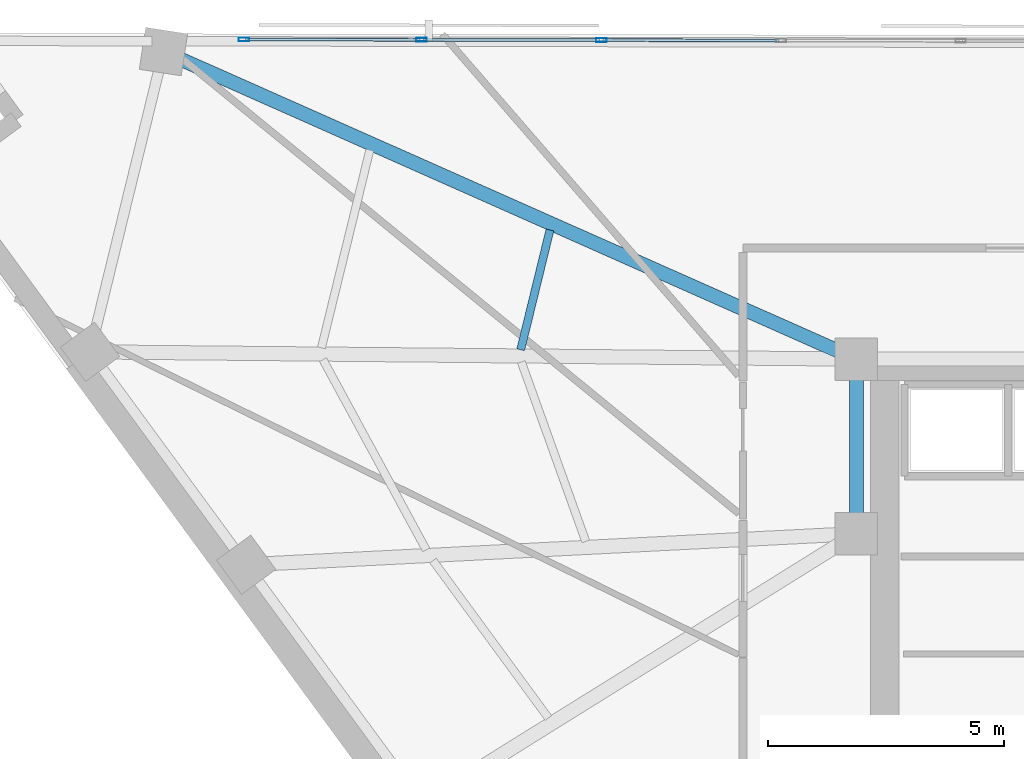
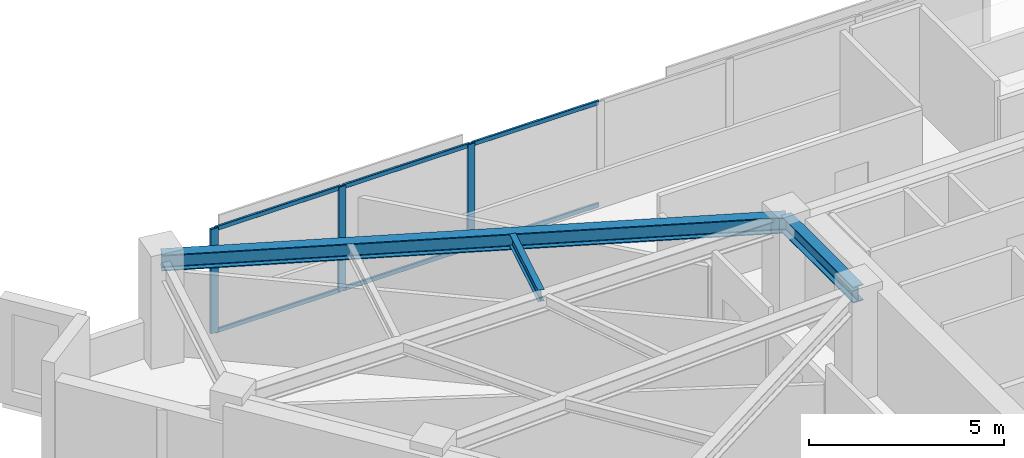
# One storey, part 2 of 13: 9 members, 3 beams, 1 element without a shape of its own.
"""IFC4 building model written with IfcOpenShell, lengths in metres."""

from ifc_helpers import new_model, si_unit, direction, frame, origin, origin_2d, place, context, subcontext, project, spatial, hollow_rectangle, i_section, extrude, material, material_profile, profile_set, type_object, element, aggregate, save


model = new_model("IFC4")

# Units and contexts
model_context = context("Model", 3, precision=1e-05, world=origin(), true_north=direction((0.0, 1.0)))
body_context = subcontext(model_context, "Body", "Model", "MODEL_VIEW")
ifc_project = project(units=[si_unit("LENGTHUNIT", "METRE"), si_unit("AREAUNIT", "SQUARE_METRE"), si_unit("VOLUMEUNIT", "CUBIC_METRE"), si_unit("PLANEANGLEUNIT", "RADIAN"), si_unit("MASSUNIT", "GRAM", prefix="KILO")], contexts=[model_context])

# Site, building, storey
site_placement = place(None, origin())
site = spatial("IfcSite", under=ifc_project, at=site_placement, CompositionType="ELEMENT")
building_placement = place(site_placement, origin())
building = spatial("IfcBuilding", under=site, at=building_placement, Name="Narakoshi Arena Tower", CompositionType="ELEMENT")
storey_placement = place(building_placement, frame((0.0, 0.0, 243.139892578125)))
storey = spatial("IfcBuildingStorey", under=building, at=storey_placement, Name="L66", CompositionType="ELEMENT", Elevation=243.139892578125)

# Beams
ifc_material_1 = material(Name="Structural steel S355J2", Category="steel")
ifc_material_profile_1 = material_profile(ifc_material_1, i_section(OverallWidth=0.300048828125, OverallDepth=0.5, WebThickness=0.014404296875, FlangeThickness=0.028076171875, FilletRadius=0.027099609375, at=origin_2d()), Name="HE500B")
ifc_profile_set_1 = profile_set([ifc_material_profile_1], Name="Structural steel S355J2")
beam_type_1 = type_object("IfcBeamType", Name="BM-PRI-500", PredefinedType="BEAM", material=ifc_profile_set_1)
beam_1_placement = place(storey_placement, frame((72.0, 56.5, 3.010009765625), z_axis=(-0.914014379094, 0.405681790089, 0.0), x_axis=(-0.405681790089, -0.914014379094, 0.0)))
element("IfcBeam", 1, at=beam_1_placement, inside=storey, type_object=beam_type_1, Name="L66 Radial Primary Floor Girder 08", PredefinedType="BEAM", context=body_context, shape_type="SweptSolid", body=[
    extrude(i_section(OverallWidth=0.300048828125, OverallDepth=0.5, WebThickness=0.014404296875, FlangeThickness=0.028076171875, FilletRadius=0.027099609375, at=origin_2d()), origin(), (0.0, 0.0, 1.0), 16.072998046875),
])
beam_2_placement = place(storey_placement, frame((72.0, 52.800048828125, 3.010009765625), z_axis=(0.0, 1.0, 0.0), x_axis=(-1.0, 0.0, 0.0)))
element("IfcBeam", 2, at=beam_2_placement, inside=storey, type_object=beam_type_1, Name="L66 Core Perimeter Frame Beam CC4-CC5", PredefinedType="BEAM", context=body_context, shape_type="SweptSolid", body=[
    extrude(i_section(OverallWidth=0.300048828125, OverallDepth=0.5, WebThickness=0.014404296875, FlangeThickness=0.028076171875, FilletRadius=0.027099609375, at=origin_2d()), origin(), (0.0, 0.0, 1.0), 3.699951171875),
])
ifc_material_profile_2 = material_profile(ifc_material_1, i_section(OverallWidth=0.169921875, OverallDepth=0.360107421875, WebThickness=0.008056640625, FlangeThickness=0.0126953125, FilletRadius=0.01806640625, at=origin_2d()), Name="IPE360")
ifc_profile_set_2 = profile_set([ifc_material_profile_2], Name="Structural steel S355J2")
beam_type_2 = type_object("IfcBeamType", Name="BM-SEC-360", PredefinedType="JOIST", material=ifc_profile_set_2)
beam_3_placement = place(storey_placement, frame((65.50390625, 59.23779296875, 3.080078125), z_axis=(-0.237388442465, -0.971414807064, 0.0), x_axis=(0.971414807064, -0.237388442465, 0.0)))
element("IfcBeam", 3, at=beam_3_placement, inside=storey, type_object=beam_type_2, Name="L66 Composite Secondary Floor Joist 07", PredefinedType="JOIST", context=body_context, shape_type="SweptSolid", body=[
    extrude(i_section(OverallWidth=0.169921875, OverallDepth=0.360107421875, WebThickness=0.008056640625, FlangeThickness=0.0126953125, FilletRadius=0.01806640625, at=origin_2d()), origin(), (0.0, 0.0, 1.0), 2.61328125),
])

# Curtain wall, members
ifc_material_2 = material(Name="Anodised bronze aluminium 6063-T6", Category="aluminium")
curtain_wall_type = type_object("IfcCurtainWallType", Name="CW-HYP-HIGH", PredefinedType="NOTDEFINED", material=ifc_material_2)
curtain_wall_placement = place(storey_placement, origin())
curtain_wall = element("IfcCurtainWall", 4, at=curtain_wall_placement, inside=storey, type_object=curtain_wall_type, Name="L66 Folded Hypotenuse Curtain Wall 2-1", PredefinedType="NOTDEFINED")
ifc_material_profile_3 = material_profile(ifc_material_2, hollow_rectangle(XDim=0.080078125, YDim=0.219970703125, WallThickness=0.0048828125, OuterFilletRadius=0.006103515625, at=origin_2d()), Name="MUL220x80x5")
ifc_profile_set_3 = profile_set([ifc_material_profile_3], Name="Anodised bronze aluminium 6063-T6")
member_type_1 = type_object("IfcMemberType", Name="MEM-MUL-220", PredefinedType="MULLION", material=ifc_profile_set_3)
member_1_placement = place(storey_placement, frame((66.59326171875, 63.263671875, 0.0), z_axis=(0.0, 0.0, 1.0), x_axis=(-0.001819896899, -0.999998343986, 0.0)))
member_1 = element("IfcMember", 5, at=member_1_placement, type_object=member_type_1, Name="CW-03 mullion 5", PredefinedType="MULLION", context=body_context, shape_type="SweptSolid", body=[
    extrude(hollow_rectangle(XDim=0.080078125, YDim=0.219970703125, WallThickness=0.0048828125, OuterFilletRadius=0.006103515625, at=origin_2d()), origin(), (0.0, 0.0, 1.0), 3.260009765625),
])
member_2_placement = place(storey_placement, frame((62.78369140625, 63.270751953125, 0.0), z_axis=(0.0, 0.0, 1.0), x_axis=(-0.001819896899, -0.999998343986, 0.0)))
member_2 = element("IfcMember", 6, at=member_2_placement, type_object=member_type_1, Name="CW-03 mullion 6", PredefinedType="MULLION", context=body_context, shape_type="SweptSolid", body=[
    extrude(hollow_rectangle(XDim=0.080078125, YDim=0.219970703125, WallThickness=0.0048828125, OuterFilletRadius=0.006103515625, at=origin_2d()), origin(), (0.0, 0.0, 1.0), 3.260009765625),
])
member_3_placement = place(storey_placement, frame((59.013916015625, 63.277587890625, 0.0), z_axis=(0.0, 0.0, 1.0), x_axis=(-0.001819896899, -0.999998343986, 0.0)))
member_3 = element("IfcMember", 7, at=member_3_placement, type_object=member_type_1, Name="CW-03 mullion 7", PredefinedType="MULLION", context=body_context, shape_type="SweptSolid", body=[
    extrude(hollow_rectangle(XDim=0.080078125, YDim=0.219970703125, WallThickness=0.0048828125, OuterFilletRadius=0.006103515625, at=origin_2d()), origin(), (0.0, 0.0, 1.0), 3.260009765625),
])
ifc_material_profile_4 = material_profile(ifc_material_2, hollow_rectangle(XDim=0.06494140625, YDim=0.1298828125, WallThickness=0.00390625, OuterFilletRadius=0.0048828125, at=origin_2d()), Name="TRN130x65x4")
ifc_profile_set_4 = profile_set([ifc_material_profile_4], Name="Anodised bronze aluminium 6063-T6")
member_type_2 = type_object("IfcMemberType", Name="MEM-TRN-130", PredefinedType="USERDEFINED", material=ifc_profile_set_4)
member_4_placement = place(storey_placement, frame((70.363037109375, 63.2568359375, 0.03271484375), z_axis=(-0.999998320389, 0.001832817502, 0.0), x_axis=(-0.001832817502, -0.999998320389, 0.0)))
member_4 = element("IfcMember", 8, at=member_4_placement, type_object=member_type_2, Name="CW-03 transom 4.1", ObjectType="TRANSOM", PredefinedType="USERDEFINED", context=body_context, shape_type="SweptSolid", body=[
    extrude(hollow_rectangle(XDim=0.06494140625, YDim=0.1298828125, WallThickness=0.00390625, OuterFilletRadius=0.0048828125, at=origin_2d()), origin(), (0.0, 0.0, 1.0), 3.729736328125),
])
member_5_placement = place(storey_placement, frame((70.363037109375, 63.2568359375, 3.2275390625), z_axis=(-0.999998320389, 0.001832817502, 0.0), x_axis=(-0.001832817502, -0.999998320389, 0.0)))
member_5 = element("IfcMember", 9, at=member_5_placement, type_object=member_type_2, Name="CW-03 transom 4.2", ObjectType="TRANSOM", PredefinedType="USERDEFINED", context=body_context, shape_type="SweptSolid", body=[
    extrude(hollow_rectangle(XDim=0.06494140625, YDim=0.1298828125, WallThickness=0.00390625, OuterFilletRadius=0.0048828125, at=origin_2d()), origin(), (0.0, 0.0, 1.0), 3.729736328125),
])
member_6_placement = place(storey_placement, frame((66.553466796875, 63.263916015625, 0.03271484375), z_axis=(-0.999998438218, 0.001767359942, 0.0), x_axis=(-0.001767359942, -0.999998438218, 0.0)))
member_6 = element("IfcMember", 10, at=member_6_placement, type_object=member_type_2, Name="CW-03 transom 5.1", ObjectType="TRANSOM", PredefinedType="USERDEFINED", context=body_context, shape_type="SweptSolid", body=[
    extrude(hollow_rectangle(XDim=0.06494140625, YDim=0.1298828125, WallThickness=0.00390625, OuterFilletRadius=0.0048828125, at=origin_2d()), origin(), (0.0, 0.0, 1.0), 3.729736328125),
])
member_7_placement = place(storey_placement, frame((66.553466796875, 63.263916015625, 3.2275390625), z_axis=(-0.999998438218, 0.001767359942, 0.0), x_axis=(-0.001767359942, -0.999998438218, 0.0)))
member_7 = element("IfcMember", 11, at=member_7_placement, type_object=member_type_2, Name="CW-03 transom 5.2", ObjectType="TRANSOM", PredefinedType="USERDEFINED", context=body_context, shape_type="SweptSolid", body=[
    extrude(hollow_rectangle(XDim=0.06494140625, YDim=0.1298828125, WallThickness=0.00390625, OuterFilletRadius=0.0048828125, at=origin_2d()), origin(), (0.0, 0.0, 1.0), 3.729736328125),
])
member_8_placement = place(storey_placement, frame((62.74365234375, 63.270751953125, 0.03271484375), z_axis=(-0.999998404139, 0.001786538537, 0.0), x_axis=(-0.001786538537, -0.999998404139, 0.0)))
member_8 = element("IfcMember", 12, at=member_8_placement, type_object=member_type_2, Name="CW-03 transom 6.1", ObjectType="TRANSOM", PredefinedType="USERDEFINED", context=body_context, shape_type="SweptSolid", body=[
    extrude(hollow_rectangle(XDim=0.06494140625, YDim=0.1298828125, WallThickness=0.00390625, OuterFilletRadius=0.0048828125, at=origin_2d()), origin(), (0.0, 0.0, 1.0), 3.689697265625),
])
member_9_placement = place(storey_placement, frame((62.74365234375, 63.270751953125, 3.2275390625), z_axis=(-0.999998404139, 0.001786538537, 0.0), x_axis=(-0.001786538537, -0.999998404139, 0.0)))
member_9 = element("IfcMember", 13, at=member_9_placement, type_object=member_type_2, Name="CW-03 transom 6.2", ObjectType="TRANSOM", PredefinedType="USERDEFINED", context=body_context, shape_type="SweptSolid", body=[
    extrude(hollow_rectangle(XDim=0.06494140625, YDim=0.1298828125, WallThickness=0.00390625, OuterFilletRadius=0.0048828125, at=origin_2d()), origin(), (0.0, 0.0, 1.0), 3.689697265625),
])
aggregate(curtain_wall, [member_1, member_2, member_3, member_4, member_5, member_6, member_7, member_8, member_9])

save(model, "model.ifc")
